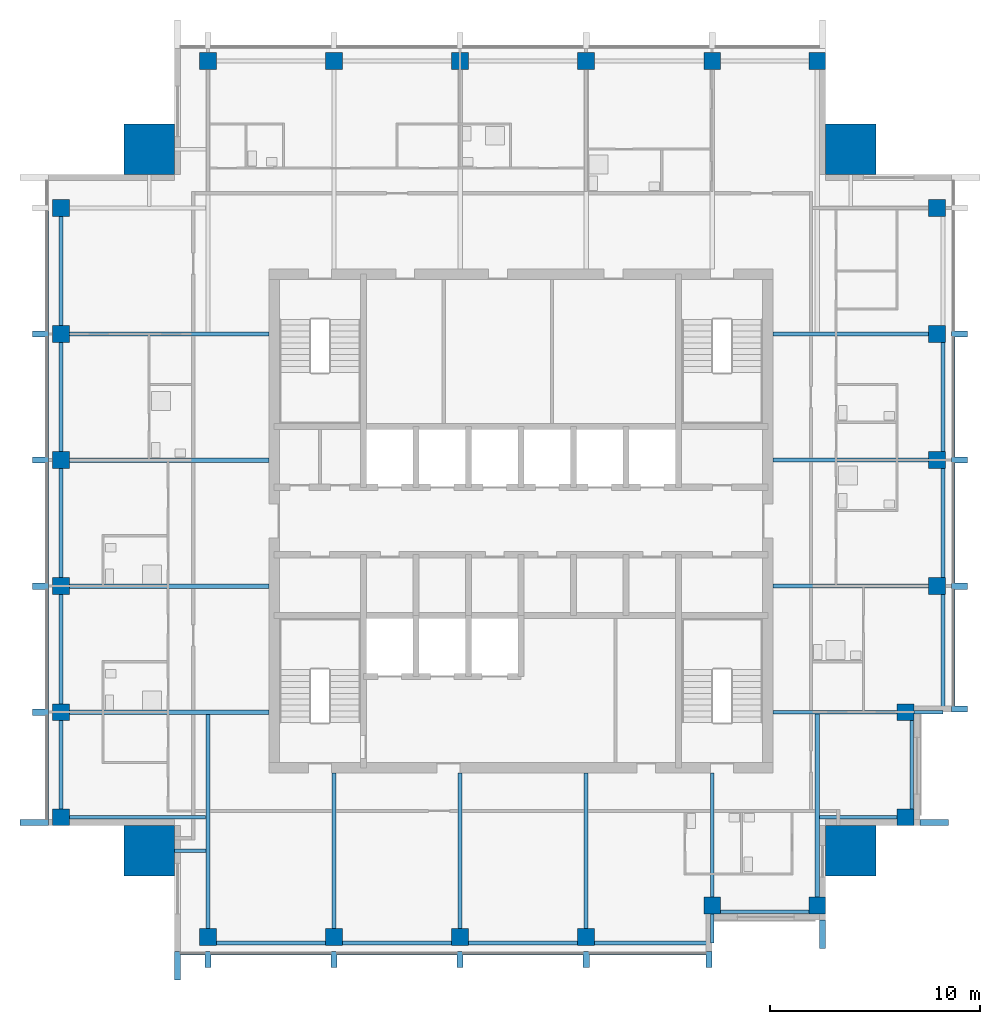
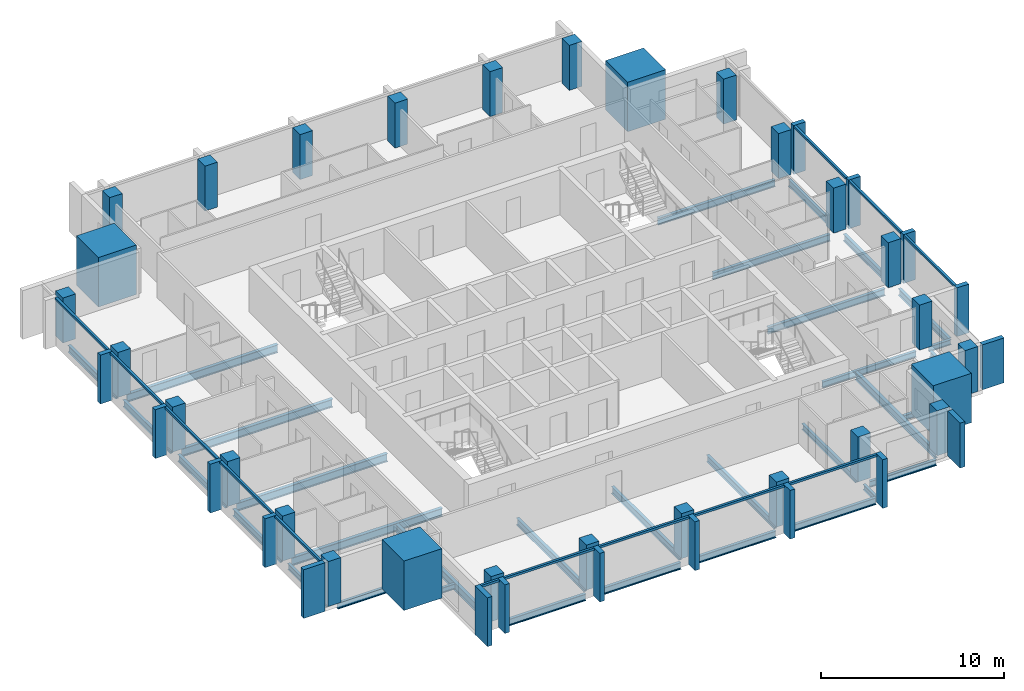
# One storey, part 1 of 9: 33 beams, 30 members, 28 columns, 3 elements without a shape of their own.
"""IFC4 building model written with IfcOpenShell, lengths in metres."""

from ifc_helpers import new_model, si_unit, direction, frame, origin, origin_2d, place, context, subcontext, project, spatial, rectangle, i_section, extrude, material, material_profile, profile_set, type_object, element, aggregate, save


model = new_model("IFC4")

# Units and contexts
model_context = context("Model", 3, precision=1e-05, world=origin(), true_north=direction((0.0, 1.0)))
body_context = subcontext(model_context, "Body", "Model", "MODEL_VIEW")
ifc_project = project(units=[si_unit("LENGTHUNIT", "METRE"), si_unit("AREAUNIT", "SQUARE_METRE"), si_unit("VOLUMEUNIT", "CUBIC_METRE"), si_unit("PLANEANGLEUNIT", "RADIAN"), si_unit("MASSUNIT", "GRAM", prefix="KILO")], contexts=[model_context])

# Site, building, storey
site_placement = place(None, origin())
site = spatial("IfcSite", under=ifc_project, at=site_placement, CompositionType="ELEMENT")
building_placement = place(site_placement, origin())
building = spatial("IfcBuilding", under=site, at=building_placement, Name="Amberfall Residences", CompositionType="ELEMENT")
storey_placement = place(building_placement, frame((0.0, 0.0, 278.5)))
storey = spatial("IfcBuildingStorey", under=building, at=storey_placement, Name="L75", CompositionType="ELEMENT", Elevation=278.5)

# Columns
ifc_material_1 = material(Name="Concrete C50", Category="concrete")
ifc_material_profile_1 = material_profile(ifc_material_1, rectangle(XDim=0.800048828125, YDim=0.800048828125, at=origin_2d()), Name="Column 800 x 800 C50")
ifc_profile_set_1 = profile_set([ifc_material_profile_1], Name="Concrete C50")
column_type_1 = type_object("IfcColumnType", Name="Column 800 x 800 C50", PredefinedType="COLUMN", material=ifc_profile_set_1)
for number, where, z_axis, x_axis, name in (
    (1, (59.60009765625, 25.699951171875, 0.0), (0.0, 0.0, 1.0), (1.0, 0.0, 0.0), "Column C5 L75 S1"),
    (2, (65.60009765625, 25.699951171875, 0.0), (0.0, 0.0, 1.0), (1.0, 0.0, 0.0), "Column C5 L75 S2"),
    (3, (71.60009765625, 25.699951171875, 0.0), (0.0, 0.0, 1.0), (1.0, 0.0, 0.0), "Column C5 L75 S3"),
    (4, (77.60009765625, 25.699951171875, 0.0), (0.0, 0.0, 1.0), (1.0, 0.0, 0.0), "Column C5 L75 S4"),
    (5, (83.60009765625, 27.199951171875, 0.0), (0.0, 0.0, 1.0), (1.0, 0.0, 0.0), "Column C5 L75 S5"),
    (6, (88.60009765625, 27.199951171875, 0.0), (0.0, 0.0, 1.0), (1.0, 0.0, 0.0), "Column C5 L75 S6"),
    (7, (92.800048828125, 31.39990234375, 0.0), (0.0, 0.0, 1.0), (1.0, 0.0, 0.0), "Column C5 L75 E1"),
    (8, (92.800048828125, 36.39990234375, 0.0), (0.0, 0.0, 1.0), (1.0, 0.0, 0.0), "Column C5 L75 E2"),
    (9, (94.300048828125, 42.39990234375, 0.0), (0.0, 0.0, 1.0), (1.0, 0.0, 0.0), "Column C5 L75 E3"),
    (10, (94.300048828125, 48.39990234375, 0.0), (0.0, 0.0, 1.0), (1.0, 0.0, 0.0), "Column C5 L75 E4"),
    (11, (94.300048828125, 54.39990234375, 0.0), (0.0, 0.0, 1.0), (1.0, 0.0, 0.0), "Column C5 L75 E5"),
    (12, (94.300048828125, 60.39990234375, 0.0), (0.0, 0.0, 1.0), (1.0, 0.0, 0.0), "Column C5 L75 E6"),
    (13, (59.60009765625, 67.39990234375, 0.0), (0.0, 0.0, 1.0), (1.0, 0.0, 0.0), "Column C5 L75 N1"),
    (14, (65.60009765625, 67.39990234375, 0.0), (0.0, 0.0, 1.0), (1.0, 0.0, 0.0), "Column C5 L75 N2"),
    (15, (71.60009765625, 67.39990234375, 0.0), (0.0, 0.0, 1.0), (1.0, 0.0, 0.0), "Column C5 L75 N3"),
    (16, (77.60009765625, 67.39990234375, 0.0), (0.0, 0.0, 1.0), (1.0, 0.0, 0.0), "Column C5 L75 N4"),
    (17, (83.60009765625, 67.39990234375, 0.0), (0.0, 0.0, 1.0), (1.0, 0.0, 0.0), "Column C5 L75 N5"),
    (18, (88.60009765625, 67.39990234375, 0.0), (0.0, 0.0, 1.0), (1.0, 0.0, 0.0), "Column C5 L75 N6"),
    (19, (52.60009765625, 31.39990234375, 0.0), (0.0, 0.0, 1.0), (1.0, 0.0, 0.0), "Column C5 L75 W1"),
    (20, (52.60009765625, 36.39990234375, 0.0), (0.0, 0.0, 1.0), (1.0, 0.0, 0.0), "Column C5 L75 W2"),
    (21, (52.60009765625, 42.39990234375, 0.0), (0.0, 0.0, 1.0), (1.0, 0.0, 0.0), "Column C5 L75 W3"),
    (22, (52.60009765625, 48.39990234375, 0.0), (0.0, 0.0, 1.0), (1.0, 0.0, 0.0), "Column C5 L75 W4"),
    (23, (52.60009765625, 54.39990234375, 0.0), (0.0, 0.0, 1.0), (1.0, 0.0, 0.0), "Column C5 L75 W5"),
    (24, (52.60009765625, 60.39990234375, 0.0), (0.0, 0.0, 1.0), (1.0, 0.0, 0.0), "Column C5 L75 W6"),
):
    element("IfcColumn", number, at=place(storey_placement, frame(where, z_axis=z_axis, x_axis=x_axis)), inside=storey, type_object=column_type_1, Name=name, PredefinedType="COLUMN", context=body_context, shape_type="SweptSolid", body=[
        extrude(rectangle(XDim=0.800048828125, YDim=0.800048828125, at=origin_2d()), origin(), (0.0, 0.0, 1.0), 3.0),
    ])
ifc_material_profile_2 = material_profile(ifc_material_1, rectangle(XDim=2.39990234375, YDim=2.39990234375, at=origin_2d()), Name="Mega column 2400 x 2400 C50")
ifc_profile_set_2 = profile_set([ifc_material_profile_2], Name="Concrete C50")
column_type_2 = type_object("IfcColumnType", Name="Mega column 2400 x 2400 C50", PredefinedType="COLUMN", material=ifc_profile_set_2)
for number, where, z_axis, x_axis, name in (
    (25, (56.800048828125, 29.800048828125, 0.0), (0.0, 0.0, 1.0), (1.0, 0.0, 0.0), "Mega column MC11 L75 SW"),
    (26, (90.199951171875, 29.800048828125, 0.0), (0.0, 0.0, 1.0), (1.0, 0.0, 0.0), "Mega column MC11 L75 SE"),
    (27, (90.199951171875, 63.199951171875, 0.0), (0.0, 0.0, 1.0), (1.0, 0.0, 0.0), "Mega column MC11 L75 NE"),
    (28, (56.800048828125, 63.199951171875, 0.0), (0.0, 0.0, 1.0), (1.0, 0.0, 0.0), "Mega column MC11 L75 NW"),
):
    element("IfcColumn", number, at=place(storey_placement, frame(where, z_axis=z_axis, x_axis=x_axis)), inside=storey, type_object=column_type_2, Name=name, PredefinedType="COLUMN", context=body_context, shape_type="SweptSolid", body=[
        extrude(rectangle(XDim=2.39990234375, YDim=2.39990234375, at=origin_2d()), origin(), (0.0, 0.0, 1.0), 3.300048828125),
    ])

# Curtain wall, members
ifc_material_2 = material(Name="Bronze anodised aluminium and glass", Category="aluminium")
curtain_wall_type = type_object("IfcCurtainWallType", Name="Curtain wall CW1 tower unit", PredefinedType="USERDEFINED", material=ifc_material_2)
curtain_wall_1_placement = place(storey_placement, origin())
curtain_wall_1 = element("IfcCurtainWall", 29, at=curtain_wall_1_placement, inside=storey, type_object=curtain_wall_type, Name="Curtain wall L75 S S1", ObjectType="UNITISED CURTAIN WALL", PredefinedType="USERDEFINED")
ifc_material_3 = material(Name="Bronze anodised aluminium", Category="aluminium")
ifc_material_profile_3 = material_profile(ifc_material_3, rectangle(XDim=0.14990234375, YDim=0.14990234375, at=origin_2d()), Name="CW1 transom 150 x 150 bronze")
ifc_profile_set_3 = profile_set([ifc_material_profile_3], Name="Bronze anodised aluminium")
member_type_1 = type_object("IfcMemberType", Name="CW1 transom 150 x 150 bronze", PredefinedType="USERDEFINED", material=ifc_profile_set_3)
member_1_placement = place(storey_placement, frame((58.300048828125, 24.925048828125, 2.925048828125), z_axis=(1.0, 0.0, 0.0), x_axis=(0.0, 1.0, 0.0)))
member_1 = element("IfcMember", 30, at=member_1_placement, type_object=member_type_1, Name="CW1 transom 1.1", ObjectType="TRANSOM", PredefinedType="USERDEFINED", context=body_context, shape_type="SweptSolid", body=[
    extrude(rectangle(XDim=0.14990234375, YDim=0.14990234375, at=origin_2d()), origin(), (0.0, 0.0, 1.0), 1.14990234375),
])
member_2_placement = place(storey_placement, frame((59.75, 24.925048828125, 2.925048828125), z_axis=(1.0, 0.0, 0.0), x_axis=(0.0, 1.0, 0.0)))
member_2 = element("IfcMember", 31, at=member_2_placement, type_object=member_type_1, Name="CW1 transom 2.1", ObjectType="TRANSOM", PredefinedType="USERDEFINED", context=body_context, shape_type="SweptSolid", body=[
    extrude(rectangle(XDim=0.14990234375, YDim=0.14990234375, at=origin_2d()), origin(), (0.0, 0.0, 1.0), 5.699951171875),
])
member_3_placement = place(storey_placement, frame((65.75, 24.925048828125, 2.925048828125), z_axis=(1.0, 0.0, 0.0), x_axis=(0.0, 1.0, 0.0)))
member_3 = element("IfcMember", 32, at=member_3_placement, type_object=member_type_1, Name="CW1 transom 3.1", ObjectType="TRANSOM", PredefinedType="USERDEFINED", context=body_context, shape_type="SweptSolid", body=[
    extrude(rectangle(XDim=0.14990234375, YDim=0.14990234375, at=origin_2d()), origin(), (0.0, 0.0, 1.0), 5.699951171875),
])
member_4_placement = place(storey_placement, frame((71.75, 24.925048828125, 2.925048828125), z_axis=(1.0, 0.0, 0.0), x_axis=(0.0, 1.0, 0.0)))
member_4 = element("IfcMember", 33, at=member_4_placement, type_object=member_type_1, Name="CW1 transom 4.1", ObjectType="TRANSOM", PredefinedType="USERDEFINED", context=body_context, shape_type="SweptSolid", body=[
    extrude(rectangle(XDim=0.14990234375, YDim=0.14990234375, at=origin_2d()), origin(), (0.0, 0.0, 1.0), 5.699951171875),
])
member_5_placement = place(storey_placement, frame((77.75, 24.925048828125, 2.925048828125), z_axis=(1.0, 0.0, 0.0), x_axis=(0.0, 1.0, 0.0)))
member_5 = element("IfcMember", 34, at=member_5_placement, type_object=member_type_1, Name="CW1 transom 5.1", ObjectType="TRANSOM", PredefinedType="USERDEFINED", context=body_context, shape_type="SweptSolid", body=[
    extrude(rectangle(XDim=0.14990234375, YDim=0.14990234375, at=origin_2d()), origin(), (0.0, 0.0, 1.0), 5.550048828125),
])

curtain_wall_2_placement = place(storey_placement, origin())
curtain_wall_2 = element("IfcCurtainWall", 35, at=curtain_wall_2_placement, inside=storey, type_object=curtain_wall_type, Name="Curtain wall L75 E E3", ObjectType="UNITISED CURTAIN WALL", PredefinedType="USERDEFINED")
member_6_placement = place(storey_placement, frame((95.074951171875, 36.699951171875, 2.925048828125), z_axis=(0.0, 1.0, 0.0), x_axis=(-1.0, 0.0, 0.0)))
member_6 = element("IfcMember", 36, at=member_6_placement, type_object=member_type_1, Name="CW1 transom 1.1", ObjectType="TRANSOM", PredefinedType="USERDEFINED", context=body_context, shape_type="SweptSolid", body=[
    extrude(rectangle(XDim=0.14990234375, YDim=0.14990234375, at=origin_2d()), origin(), (0.0, 0.0, 1.0), 5.550048828125),
])
member_7_placement = place(storey_placement, frame((95.074951171875, 42.550048828125, 2.925048828125), z_axis=(0.0, 1.0, 0.0), x_axis=(-1.0, 0.0, 0.0)))
member_7 = element("IfcMember", 37, at=member_7_placement, type_object=member_type_1, Name="CW1 transom 2.1", ObjectType="TRANSOM", PredefinedType="USERDEFINED", context=body_context, shape_type="SweptSolid", body=[
    extrude(rectangle(XDim=0.14990234375, YDim=0.14990234375, at=origin_2d()), origin(), (0.0, 0.0, 1.0), 5.699951171875),
])
member_8_placement = place(storey_placement, frame((95.074951171875, 48.550048828125, 2.925048828125), z_axis=(0.0, 1.0, 0.0), x_axis=(-1.0, 0.0, 0.0)))
member_8 = element("IfcMember", 38, at=member_8_placement, type_object=member_type_1, Name="CW1 transom 3.1", ObjectType="TRANSOM", PredefinedType="USERDEFINED", context=body_context, shape_type="SweptSolid", body=[
    extrude(rectangle(XDim=0.14990234375, YDim=0.14990234375, at=origin_2d()), origin(), (0.0, 0.0, 1.0), 5.699951171875),
])

curtain_wall_3_placement = place(storey_placement, origin())
curtain_wall_3 = element("IfcCurtainWall", 39, at=curtain_wall_3_placement, inside=storey, type_object=curtain_wall_type, Name="Curtain wall L75 W W1", ObjectType="UNITISED CURTAIN WALL", PredefinedType="USERDEFINED")
member_9_placement = place(storey_placement, frame((51.925048828125, 60.25, 2.925048828125), z_axis=(0.0, -1.0, 0.0), x_axis=(1.0, 0.0, 0.0)))
member_9 = element("IfcMember", 40, at=member_9_placement, type_object=member_type_1, Name="CW1 transom 2.1", ObjectType="TRANSOM", PredefinedType="USERDEFINED", context=body_context, shape_type="SweptSolid", body=[
    extrude(rectangle(XDim=0.14990234375, YDim=0.14990234375, at=origin_2d()), origin(), (0.0, 0.0, 1.0), 5.699951171875),
])
member_10_placement = place(storey_placement, frame((51.925048828125, 54.25, 2.925048828125), z_axis=(0.0, -1.0, 0.0), x_axis=(1.0, 0.0, 0.0)))
member_10 = element("IfcMember", 41, at=member_10_placement, type_object=member_type_1, Name="CW1 transom 3.1", ObjectType="TRANSOM", PredefinedType="USERDEFINED", context=body_context, shape_type="SweptSolid", body=[
    extrude(rectangle(XDim=0.14990234375, YDim=0.14990234375, at=origin_2d()), origin(), (0.0, 0.0, 1.0), 5.699951171875),
])
member_11_placement = place(storey_placement, frame((51.925048828125, 48.25, 2.925048828125), z_axis=(0.0, -1.0, 0.0), x_axis=(1.0, 0.0, 0.0)))
member_11 = element("IfcMember", 42, at=member_11_placement, type_object=member_type_1, Name="CW1 transom 4.1", ObjectType="TRANSOM", PredefinedType="USERDEFINED", context=body_context, shape_type="SweptSolid", body=[
    extrude(rectangle(XDim=0.14990234375, YDim=0.14990234375, at=origin_2d()), origin(), (0.0, 0.0, 1.0), 5.699951171875),
])
member_12_placement = place(storey_placement, frame((51.925048828125, 42.25, 2.925048828125), z_axis=(0.0, -1.0, 0.0), x_axis=(1.0, 0.0, 0.0)))
member_12 = element("IfcMember", 43, at=member_12_placement, type_object=member_type_1, Name="CW1 transom 5.1", ObjectType="TRANSOM", PredefinedType="USERDEFINED", context=body_context, shape_type="SweptSolid", body=[
    extrude(rectangle(XDim=0.14990234375, YDim=0.14990234375, at=origin_2d()), origin(), (0.0, 0.0, 1.0), 5.699951171875),
])
member_13_placement = place(storey_placement, frame((51.925048828125, 36.25, 2.925048828125), z_axis=(0.0, -1.0, 0.0), x_axis=(1.0, 0.0, 0.0)))
member_13 = element("IfcMember", 44, at=member_13_placement, type_object=member_type_1, Name="CW1 transom 6.1", ObjectType="TRANSOM", PredefinedType="USERDEFINED", context=body_context, shape_type="SweptSolid", body=[
    extrude(rectangle(XDim=0.14990234375, YDim=0.14990234375, at=origin_2d()), origin(), (0.0, 0.0, 1.0), 4.949951171875),
])

# Beams
ifc_material_4 = material(Name="Steel S355", Category="steel")
ifc_material_profile_4 = material_profile(ifc_material_4, i_section(OverallWidth=0.171142578125, OverallDepth=0.351318359375, WebThickness=0.007080078125, FlangeThickness=0.009765625, FilletRadius=0.01025390625, at=origin_2d()), Name="UB 356x171x45")
ifc_profile_set_4 = profile_set([ifc_material_profile_4], Name="Steel S355")
beam_type_1 = type_object("IfcBeamType", Name="Cantilever girder UB 356x171x45", PredefinedType="BEAM", material=ifc_profile_set_4)
for number, where, z_axis, x_axis, name in (
    (45, (83.60009765625, 26.800048828125, -0.42578125), (0.0, -1.0, 0.0), (1.0, 0.0, 0.0), "Cantilever girder B8 L75 06"),
    (46, (93.199951171875, 36.39990234375, -0.42578125), (1.0, 0.0, 0.0), (0.0, 1.0, 0.0), "Cantilever girder B8 L75 18"),
):
    element("IfcBeam", number, at=place(storey_placement, frame(where, z_axis=z_axis, x_axis=x_axis)), inside=storey, type_object=beam_type_1, Name=name, PredefinedType="BEAM", context=body_context, shape_type="SweptSolid", body=[
        extrude(i_section(OverallWidth=0.171142578125, OverallDepth=0.351318359375, WebThickness=0.007080078125, FlangeThickness=0.009765625, FilletRadius=0.01025390625, at=origin_2d()), origin(), (0.0, 0.0, 1.0), 1.400146484375),
    ])

# Member
ifc_material_profile_5 = material_profile(ifc_material_3, rectangle(XDim=1.35009765625, YDim=0.300048828125, at=origin_2d()), Name="Corner fin 300 x 1350 bronze")
ifc_profile_set_5 = profile_set([ifc_material_profile_5], Name="Bronze anodised aluminium")
member_type_2 = type_object("IfcMemberType", Name="Corner fin 300 x 1350 bronze", PredefinedType="MULLION", material=ifc_profile_set_5)
member_14_placement = place(storey_placement, frame((58.14990234375, 24.324951171875, -0.25), z_axis=(0.0, 0.0, 1.0), x_axis=(0.0, 1.0, 0.0)))
member_14 = element("IfcMember", 47, at=member_14_placement, type_object=member_type_2, Name="CW FIN 1", PredefinedType="MULLION", context=body_context, shape_type="SweptSolid", body=[
    extrude(rectangle(XDim=1.35009765625, YDim=0.300048828125, at=origin_2d()), origin(), (0.0, 0.0, 1.0), 3.25),
])

member_15_placement = place(storey_placement, frame((51.324951171875, 31.14990234375, -0.25), z_axis=(0.0, 0.0, 1.0), x_axis=(1.0, 0.0, 0.0)))
member_15 = element("IfcMember", 48, at=member_15_placement, type_object=member_type_2, Name="CW FIN 7", PredefinedType="MULLION", context=body_context, shape_type="SweptSolid", body=[
    extrude(rectangle(XDim=1.35009765625, YDim=0.300048828125, at=origin_2d()), origin(), (0.0, 0.0, 1.0), 3.25),
])

# Beams
ifc_material_profile_6 = material_profile(ifc_material_4, i_section(OverallWidth=0.177734375, OverallDepth=0.402587890625, WebThickness=0.0078125, FlangeThickness=0.010986328125, FilletRadius=0.01025390625, at=origin_2d()), Name="UB 406x178x54")
ifc_profile_set_6 = profile_set([ifc_material_profile_6], Name="Steel S355")
beam_type_2 = type_object("IfcBeamType", Name="Edge beam UB 406x178x54", PredefinedType="SPANDREL", material=ifc_profile_set_6)
for number, where, z_axis, x_axis, name in (
    (49, (84.0, 26.89990234375, -0.451416015625), (1.0, 0.0, 0.0), (0.0, 1.0, 0.0), "Edge beam B14 L75 05"),
    (50, (93.10009765625, 31.800048828125, -0.451416015625), (0.0, 1.0, 0.0), (-1.0, 0.0, 0.0), "Edge beam B14 L75 13"),
    (51, (52.60009765625, 31.800048828125, -0.451416015625), (0.0, 1.0, 0.0), (-1.0, 0.0, 0.0), "Edge beam B14 L75 36"),
):
    element("IfcBeam", number, at=place(storey_placement, frame(where, z_axis=z_axis, x_axis=x_axis)), inside=storey, type_object=beam_type_2, Name=name, PredefinedType="SPANDREL", context=body_context, shape_type="SweptSolid", body=[
        extrude(i_section(OverallWidth=0.177734375, OverallDepth=0.402587890625, WebThickness=0.0078125, FlangeThickness=0.010986328125, FilletRadius=0.01025390625, at=origin_2d()), origin(), (0.0, 0.0, 1.0), 4.199951171875),
    ])
ifc_material_profile_7 = material_profile(ifc_material_4, i_section(OverallWidth=0.18994140625, OverallDepth=0.453369140625, WebThickness=0.008544921875, FlangeThickness=0.0126953125, FilletRadius=0.01025390625, at=origin_2d()), Name="UB 457x191x67")
ifc_profile_set_7 = profile_set([ifc_material_profile_7], Name="Steel S355")
beam_type_3 = type_object("IfcBeamType", Name="Edge beam UB 457x191x67", PredefinedType="SPANDREL", material=ifc_profile_set_7)
for number, where, z_axis, x_axis, name in (
    (52, (60.0, 25.39990234375, -0.476806640625), (1.0, 0.0, 0.0), (0.0, 1.0, 0.0), "Edge beam B1 L75 01"),
    (53, (66.0, 25.39990234375, -0.476806640625), (1.0, 0.0, 0.0), (0.0, 1.0, 0.0), "Edge beam B1 L75 02"),
    (54, (72.0, 25.39990234375, -0.476806640625), (1.0, 0.0, 0.0), (0.0, 1.0, 0.0), "Edge beam B1 L75 03"),
):
    element("IfcBeam", number, at=place(storey_placement, frame(where, z_axis=z_axis, x_axis=x_axis)), inside=storey, type_object=beam_type_3, Name=name, PredefinedType="SPANDREL", context=body_context, shape_type="SweptSolid", body=[
        extrude(i_section(OverallWidth=0.18994140625, OverallDepth=0.453369140625, WebThickness=0.008544921875, FlangeThickness=0.0126953125, FilletRadius=0.01025390625, at=origin_2d()), origin(), (0.0, 0.0, 1.0), 5.199951171875),
    ])
for number, where, z_axis, x_axis, name in (
    (55, (78.0, 25.39990234375, -0.476806640625), (1.0, 0.0, 0.0), (0.0, 1.0, 0.0), "Edge beam B1 L75 04"),
    (56, (94.60009765625, 36.47998046875, -0.476806640625), (0.0, 1.0, 0.0), (-1.0, 0.0, 0.0), "Edge beam B1 L75 14"),
):
    element("IfcBeam", number, at=place(storey_placement, frame(where, z_axis=z_axis, x_axis=x_axis)), inside=storey, type_object=beam_type_3, Name=name, PredefinedType="SPANDREL", context=body_context, shape_type="SweptSolid", body=[
        extrude(i_section(OverallWidth=0.18994140625, OverallDepth=0.453369140625, WebThickness=0.008544921875, FlangeThickness=0.0126953125, FilletRadius=0.01025390625, at=origin_2d()), origin(), (0.0, 0.0, 1.0), 5.52001953125),
    ])
for number, where, z_axis, x_axis, name in (
    (57, (94.60009765625, 42.800048828125, -0.476806640625), (0.0, 1.0, 0.0), (-1.0, 0.0, 0.0), "Edge beam B1 L75 15"),
    (58, (94.60009765625, 48.800048828125, -0.476806640625), (0.0, 1.0, 0.0), (-1.0, 0.0, 0.0), "Edge beam B1 L75 16"),
    (59, (52.60009765625, 36.800048828125, -0.476806640625), (0.0, 1.0, 0.0), (-1.0, 0.0, 0.0), "Edge beam B1 L75 37"),
    (60, (52.60009765625, 42.800048828125, -0.476806640625), (0.0, 1.0, 0.0), (-1.0, 0.0, 0.0), "Edge beam B1 L75 38"),
    (61, (52.60009765625, 48.800048828125, -0.476806640625), (0.0, 1.0, 0.0), (-1.0, 0.0, 0.0), "Edge beam B1 L75 39"),
    (62, (52.60009765625, 54.800048828125, -0.476806640625), (0.0, 1.0, 0.0), (-1.0, 0.0, 0.0), "Edge beam B1 L75 40"),
):
    element("IfcBeam", number, at=place(storey_placement, frame(where, z_axis=z_axis, x_axis=x_axis)), inside=storey, type_object=beam_type_3, Name=name, PredefinedType="SPANDREL", context=body_context, shape_type="SweptSolid", body=[
        extrude(i_section(OverallWidth=0.18994140625, OverallDepth=0.453369140625, WebThickness=0.008544921875, FlangeThickness=0.0126953125, FilletRadius=0.01025390625, at=origin_2d()), origin(), (0.0, 0.0, 1.0), 5.199951171875),
    ])

# Member
ifc_material_profile_8 = material_profile(ifc_material_3, rectangle(XDim=0.75, YDim=0.300048828125, at=origin_2d()), Name="Fin 300 x 750 bronze")
ifc_profile_set_8 = profile_set([ifc_material_profile_8], Name="Bronze anodised aluminium")
member_type_3 = type_object("IfcMemberType", Name="Fin 300 x 750 bronze", PredefinedType="MULLION", material=ifc_profile_set_8)
member_16_placement = place(storey_placement, frame((59.60009765625, 24.625, -0.25), z_axis=(0.0, 0.0, 1.0), x_axis=(0.0, 1.0, 0.0)))
member_16 = element("IfcMember", 63, at=member_16_placement, type_object=member_type_3, Name="CW FIN 2", PredefinedType="MULLION", context=body_context, shape_type="SweptSolid", body=[
    extrude(rectangle(XDim=0.75, YDim=0.300048828125, at=origin_2d()), origin(), (0.0, 0.0, 1.0), 3.25),
])

member_17_placement = place(storey_placement, frame((65.60009765625, 24.625, -0.25), z_axis=(0.0, 0.0, 1.0), x_axis=(0.0, 1.0, 0.0)))
member_17 = element("IfcMember", 64, at=member_17_placement, type_object=member_type_3, Name="CW FIN 3", PredefinedType="MULLION", context=body_context, shape_type="SweptSolid", body=[
    extrude(rectangle(XDim=0.75, YDim=0.300048828125, at=origin_2d()), origin(), (0.0, 0.0, 1.0), 3.25),
])

member_18_placement = place(storey_placement, frame((71.60009765625, 24.625, -0.25), z_axis=(0.0, 0.0, 1.0), x_axis=(0.0, 1.0, 0.0)))
member_18 = element("IfcMember", 65, at=member_18_placement, type_object=member_type_3, Name="CW FIN 4", PredefinedType="MULLION", context=body_context, shape_type="SweptSolid", body=[
    extrude(rectangle(XDim=0.75, YDim=0.300048828125, at=origin_2d()), origin(), (0.0, 0.0, 1.0), 3.25),
])

member_19_placement = place(storey_placement, frame((77.60009765625, 24.625, -0.25), z_axis=(0.0, 0.0, 1.0), x_axis=(0.0, 1.0, 0.0)))
member_19 = element("IfcMember", 66, at=member_19_placement, type_object=member_type_3, Name="CW FIN 5", PredefinedType="MULLION", context=body_context, shape_type="SweptSolid", body=[
    extrude(rectangle(XDim=0.75, YDim=0.300048828125, at=origin_2d()), origin(), (0.0, 0.0, 1.0), 3.25),
])

member_20_placement = place(storey_placement, frame((83.449951171875, 24.625, -0.25), z_axis=(0.0, 0.0, 1.0), x_axis=(0.0, 1.0, 0.0)))
member_20 = element("IfcMember", 67, at=member_20_placement, type_object=member_type_3, Name="CW FIN 6", PredefinedType="MULLION", context=body_context, shape_type="SweptSolid", body=[
    extrude(rectangle(XDim=0.75, YDim=0.300048828125, at=origin_2d()), origin(), (0.0, 0.0, 1.0), 3.25),
])

aggregate(curtain_wall_1, [member_14, member_16, member_17, member_18, member_19, member_20, member_1, member_2, member_3, member_4, member_5])

member_21_placement = place(storey_placement, frame((95.375, 36.550048828125, -0.25), z_axis=(0.0, 0.0, 1.0), x_axis=(-1.0, 0.0, 0.0)))
member_21 = element("IfcMember", 68, at=member_21_placement, type_object=member_type_3, Name="CW FIN 1", PredefinedType="MULLION", context=body_context, shape_type="SweptSolid", body=[
    extrude(rectangle(XDim=0.75, YDim=0.300048828125, at=origin_2d()), origin(), (0.0, 0.0, 1.0), 3.25),
])

member_22_placement = place(storey_placement, frame((95.375, 42.39990234375, -0.25), z_axis=(0.0, 0.0, 1.0), x_axis=(-1.0, 0.0, 0.0)))
member_22 = element("IfcMember", 69, at=member_22_placement, type_object=member_type_3, Name="CW FIN 2", PredefinedType="MULLION", context=body_context, shape_type="SweptSolid", body=[
    extrude(rectangle(XDim=0.75, YDim=0.300048828125, at=origin_2d()), origin(), (0.0, 0.0, 1.0), 3.25),
])

member_23_placement = place(storey_placement, frame((95.375, 48.39990234375, -0.25), z_axis=(0.0, 0.0, 1.0), x_axis=(-1.0, 0.0, 0.0)))
member_23 = element("IfcMember", 70, at=member_23_placement, type_object=member_type_3, Name="CW FIN 3", PredefinedType="MULLION", context=body_context, shape_type="SweptSolid", body=[
    extrude(rectangle(XDim=0.75, YDim=0.300048828125, at=origin_2d()), origin(), (0.0, 0.0, 1.0), 3.25),
])

member_24_placement = place(storey_placement, frame((95.375, 54.39990234375, -0.25), z_axis=(0.0, 0.0, 1.0), x_axis=(-1.0, 0.0, 0.0)))
member_24 = element("IfcMember", 71, at=member_24_placement, type_object=member_type_3, Name="CW FIN 4", PredefinedType="MULLION", context=body_context, shape_type="SweptSolid", body=[
    extrude(rectangle(XDim=0.75, YDim=0.300048828125, at=origin_2d()), origin(), (0.0, 0.0, 1.0), 3.25),
])

aggregate(curtain_wall_2, [member_21, member_22, member_23, member_24, member_6, member_7, member_8])

member_25_placement = place(storey_placement, frame((51.625, 54.39990234375, -0.25), z_axis=(0.0, 0.0, 1.0), x_axis=(1.0, 0.0, 0.0)))
member_25 = element("IfcMember", 72, at=member_25_placement, type_object=member_type_3, Name="CW FIN 3", PredefinedType="MULLION", context=body_context, shape_type="SweptSolid", body=[
    extrude(rectangle(XDim=0.75, YDim=0.300048828125, at=origin_2d()), origin(), (0.0, 0.0, 1.0), 3.25),
])

member_26_placement = place(storey_placement, frame((51.625, 48.39990234375, -0.25), z_axis=(0.0, 0.0, 1.0), x_axis=(1.0, 0.0, 0.0)))
member_26 = element("IfcMember", 73, at=member_26_placement, type_object=member_type_3, Name="CW FIN 4", PredefinedType="MULLION", context=body_context, shape_type="SweptSolid", body=[
    extrude(rectangle(XDim=0.75, YDim=0.300048828125, at=origin_2d()), origin(), (0.0, 0.0, 1.0), 3.25),
])

member_27_placement = place(storey_placement, frame((51.625, 42.39990234375, -0.25), z_axis=(0.0, 0.0, 1.0), x_axis=(1.0, 0.0, 0.0)))
member_27 = element("IfcMember", 74, at=member_27_placement, type_object=member_type_3, Name="CW FIN 5", PredefinedType="MULLION", context=body_context, shape_type="SweptSolid", body=[
    extrude(rectangle(XDim=0.75, YDim=0.300048828125, at=origin_2d()), origin(), (0.0, 0.0, 1.0), 3.25),
])

member_28_placement = place(storey_placement, frame((51.625, 36.39990234375, -0.25), z_axis=(0.0, 0.0, 1.0), x_axis=(1.0, 0.0, 0.0)))
member_28 = element("IfcMember", 75, at=member_28_placement, type_object=member_type_3, Name="CW FIN 6", PredefinedType="MULLION", context=body_context, shape_type="SweptSolid", body=[
    extrude(rectangle(XDim=0.75, YDim=0.300048828125, at=origin_2d()), origin(), (0.0, 0.0, 1.0), 3.25),
])

aggregate(curtain_wall_3, [member_25, member_26, member_27, member_28, member_15, member_9, member_10, member_11, member_12, member_13])

# Beams
ifc_material_profile_9 = material_profile(ifc_material_4, i_section(OverallWidth=0.171142578125, OverallDepth=0.351318359375, WebThickness=0.007080078125, FlangeThickness=0.009765625, FilletRadius=0.01025390625, at=origin_2d()), Name="UB 356x171x45")
ifc_profile_set_9 = profile_set([ifc_material_profile_9], Name="Steel S355")
beam_type_4 = type_object("IfcBeamType", Name="Floor girder UB 356x171x45", PredefinedType="BEAM", material=ifc_profile_set_9)
beam_1_placement = place(storey_placement, frame((92.39990234375, 31.39990234375, -0.42578125), z_axis=(-1.0, 0.0, 0.0), x_axis=(0.0, -1.0, 0.0)))
element("IfcBeam", 76, at=beam_1_placement, inside=storey, type_object=beam_type_4, Name="Floor girder B11 L75 19", PredefinedType="BEAM", context=body_context, shape_type="SweptSolid", body=[
    extrude(i_section(OverallWidth=0.171142578125, OverallDepth=0.351318359375, WebThickness=0.007080078125, FlangeThickness=0.009765625, FilletRadius=0.01025390625, at=origin_2d()), origin(), (0.0, 0.0, 1.0), 3.679931640625),
])
ifc_material_profile_10 = material_profile(ifc_material_4, i_section(OverallWidth=0.177734375, OverallDepth=0.402587890625, WebThickness=0.0078125, FlangeThickness=0.010986328125, FilletRadius=0.01025390625, at=origin_2d()), Name="UB 406x178x54")
ifc_profile_set_10 = profile_set([ifc_material_profile_10], Name="Steel S355")
beam_type_5 = type_object("IfcBeamType", Name="Floor girder UB 406x178x54", PredefinedType="BEAM", material=ifc_profile_set_10)
for number, where, z_axis, x_axis, name in (
    (77, (83.60009765625, 27.60009765625, -0.451416015625), (0.0, 1.0, 0.0), (-1.0, 0.0, 0.0), "Floor girder B4 L75 11"),
    (78, (92.39990234375, 36.39990234375, -0.451416015625), (-1.0, 0.0, 0.0), (0.0, -1.0, 0.0), "Floor girder B4 L75 20"),
):
    element("IfcBeam", number, at=place(storey_placement, frame(where, z_axis=z_axis, x_axis=x_axis)), inside=storey, type_object=beam_type_5, Name=name, PredefinedType="BEAM", context=body_context, shape_type="SweptSolid", body=[
        extrude(i_section(OverallWidth=0.177734375, OverallDepth=0.402587890625, WebThickness=0.0078125, FlangeThickness=0.010986328125, FilletRadius=0.01025390625, at=origin_2d()), origin(), (0.0, 0.0, 1.0), 5.89990234375),
    ])
beam_2_placement = place(storey_placement, frame((53.0, 31.39990234375, -0.451416015625), z_axis=(1.0, 0.0, 0.0), x_axis=(0.0, 1.0, 0.0)))
element("IfcBeam", 79, at=beam_2_placement, inside=storey, type_object=beam_type_5, Name="Floor girder B4 L75 41", PredefinedType="BEAM", context=body_context, shape_type="SweptSolid", body=[
    extrude(i_section(OverallWidth=0.177734375, OverallDepth=0.402587890625, WebThickness=0.0078125, FlangeThickness=0.010986328125, FilletRadius=0.01025390625, at=origin_2d()), origin(), (0.0, 0.0, 1.0), 6.47998046875),
])
ifc_material_profile_11 = material_profile(ifc_material_4, i_section(OverallWidth=0.19140625, OverallDepth=0.4599609375, WebThickness=0.010009765625, FlangeThickness=0.01611328125, FilletRadius=0.01025390625, at=origin_2d()), Name="UB 457x191x82")
ifc_profile_set_11 = profile_set([ifc_material_profile_11], Name="Steel S355")
beam_type_6 = type_object("IfcBeamType", Name="Floor girder UB 457x191x82", PredefinedType="BEAM", material=ifc_profile_set_11)
for number, where, z_axis, x_axis, name in (
    (80, (65.60009765625, 26.10009765625, -0.47998046875), (0.0, 1.0, 0.0), (-1.0, 0.0, 0.0), "Floor girder B10 L75 08"),
    (81, (71.60009765625, 26.10009765625, -0.47998046875), (0.0, 1.0, 0.0), (-1.0, 0.0, 0.0), "Floor girder B10 L75 09"),
    (82, (77.60009765625, 26.10009765625, -0.47998046875), (0.0, 1.0, 0.0), (-1.0, 0.0, 0.0), "Floor girder B10 L75 10"),
    (83, (93.89990234375, 42.39990234375, -0.47998046875), (-1.0, 0.0, 0.0), (0.0, -1.0, 0.0), "Floor girder B10 L75 21"),
    (84, (93.89990234375, 48.39990234375, -0.47998046875), (-1.0, 0.0, 0.0), (0.0, -1.0, 0.0), "Floor girder B10 L75 22"),
    (85, (93.89990234375, 54.39990234375, -0.47998046875), (-1.0, 0.0, 0.0), (0.0, -1.0, 0.0), "Floor girder B10 L75 23"),
):
    element("IfcBeam", number, at=place(storey_placement, frame(where, z_axis=z_axis, x_axis=x_axis)), inside=storey, type_object=beam_type_6, Name=name, PredefinedType="BEAM", context=body_context, shape_type="SweptSolid", body=[
        extrude(i_section(OverallWidth=0.19140625, OverallDepth=0.4599609375, WebThickness=0.010009765625, FlangeThickness=0.01611328125, FilletRadius=0.01025390625, at=origin_2d()), origin(), (0.0, 0.0, 1.0), 7.39990234375),
    ])
ifc_material_profile_12 = material_profile(ifc_material_4, i_section(OverallWidth=0.209228515625, OverallDepth=0.533203125, WebThickness=0.010009765625, FlangeThickness=0.015625, FilletRadius=0.0126953125, at=origin_2d()), Name="UB 533x210x92")
ifc_profile_set_12 = profile_set([ifc_material_profile_12], Name="Steel S355")
beam_type_7 = type_object("IfcBeamType", Name="Floor girder UB 533x210x92", PredefinedType="BEAM", material=ifc_profile_set_12)
beam_3_placement = place(storey_placement, frame((59.60009765625, 26.10009765625, -0.5166015625), z_axis=(0.0, 1.0, 0.0), x_axis=(-1.0, 0.0, 0.0)))
element("IfcBeam", 86, at=beam_3_placement, inside=storey, type_object=beam_type_7, Name="Floor girder B3 L75 07", PredefinedType="BEAM", context=body_context, shape_type="SweptSolid", body=[
    extrude(i_section(OverallWidth=0.209228515625, OverallDepth=0.533203125, WebThickness=0.010009765625, FlangeThickness=0.015625, FilletRadius=0.0126953125, at=origin_2d()), origin(), (0.0, 0.0, 1.0), 10.2001953125),
])
beam_4_placement = place(storey_placement, frame((88.60009765625, 27.60009765625, -0.5166015625), z_axis=(0.0, 1.0, 0.0), x_axis=(-1.0, 0.0, 0.0)))
element("IfcBeam", 87, at=beam_4_placement, inside=storey, type_object=beam_type_7, Name="Floor girder B3 L75 12", PredefinedType="BEAM", context=body_context, shape_type="SweptSolid", body=[
    extrude(i_section(OverallWidth=0.209228515625, OverallDepth=0.533203125, WebThickness=0.010009765625, FlangeThickness=0.015625, FilletRadius=0.0126953125, at=origin_2d()), origin(), (0.0, 0.0, 1.0), 8.716064453125),
])
for number, where, z_axis, x_axis, name in (
    (88, (53.0, 36.39990234375, -0.5166015625), (1.0, 0.0, 0.0), (0.0, 1.0, 0.0), "Floor girder B3 L75 42"),
    (89, (53.0, 42.39990234375, -0.5166015625), (1.0, 0.0, 0.0), (0.0, 1.0, 0.0), "Floor girder B3 L75 43"),
    (90, (53.0, 48.39990234375, -0.5166015625), (1.0, 0.0, 0.0), (0.0, 1.0, 0.0), "Floor girder B3 L75 44"),
    (91, (53.0, 54.39990234375, -0.5166015625), (1.0, 0.0, 0.0), (0.0, 1.0, 0.0), "Floor girder B3 L75 45"),
):
    element("IfcBeam", number, at=place(storey_placement, frame(where, z_axis=z_axis, x_axis=x_axis)), inside=storey, type_object=beam_type_7, Name=name, PredefinedType="BEAM", context=body_context, shape_type="SweptSolid", body=[
        extrude(i_section(OverallWidth=0.209228515625, OverallDepth=0.533203125, WebThickness=0.010009765625, FlangeThickness=0.015625, FilletRadius=0.0126953125, at=origin_2d()), origin(), (0.0, 0.0, 1.0), 9.5),
    ])
ifc_material_profile_13 = material_profile(ifc_material_4, i_section(OverallWidth=0.171142578125, OverallDepth=0.351318359375, WebThickness=0.007080078125, FlangeThickness=0.009765625, FilletRadius=0.01025390625, at=origin_2d()), Name="UB 356x171x45")
ifc_profile_set_13 = profile_set([ifc_material_profile_13], Name="Steel S355")
beam_type_8 = type_object("IfcBeamType", Name="Link beam UB 356x171x45", PredefinedType="BEAM", material=ifc_profile_set_13)
beam_5_placement = place(storey_placement, frame((58.0, 29.800048828125, -0.42578125), z_axis=(1.0, 0.0, 0.0), x_axis=(0.0, 1.0, 0.0)))
element("IfcBeam", 92, at=beam_5_placement, inside=storey, type_object=beam_type_8, Name="Link beam B7 L75 47", PredefinedType="BEAM", context=body_context, shape_type="SweptSolid", body=[
    extrude(i_section(OverallWidth=0.171142578125, OverallDepth=0.351318359375, WebThickness=0.007080078125, FlangeThickness=0.009765625, FilletRadius=0.01025390625, at=origin_2d()), origin(), (0.0, 0.0, 1.0), 1.50537109375),
])

# Members
ifc_material_profile_14 = material_profile(ifc_material_3, rectangle(XDim=1.35009765625, YDim=0.300048828125, at=origin_2d()), Name="Stone corner fin 300 x 1350 bronze")
ifc_profile_set_14 = profile_set([ifc_material_profile_14], Name="Bronze anodised aluminium")
member_type_4 = type_object("IfcMemberType", Name="Stone corner fin 300 x 1350 bronze", PredefinedType="MEMBER", material=ifc_profile_set_14)
for number, where, z_axis, x_axis, name in (
    (93, (88.85009765625, 25.824951171875, 0.0), (0.0, 0.0, 1.0), (0.0, 1.0, 0.0), "Corner fin S"),
    (94, (94.175048828125, 31.14990234375, 0.0), (0.0, 0.0, 1.0), (-1.0, 0.0, 0.0), "Corner fin E"),
):
    element("IfcMember", number, at=place(storey_placement, frame(where, z_axis=z_axis, x_axis=x_axis)), inside=storey, type_object=member_type_4, Name=name, PredefinedType="MEMBER", context=body_context, shape_type="SweptSolid", body=[
        extrude(rectangle(XDim=1.35009765625, YDim=0.300048828125, at=origin_2d()), origin(), (0.0, 0.0, 1.0), 3.0),
    ])

save(model, "model.ifc")
